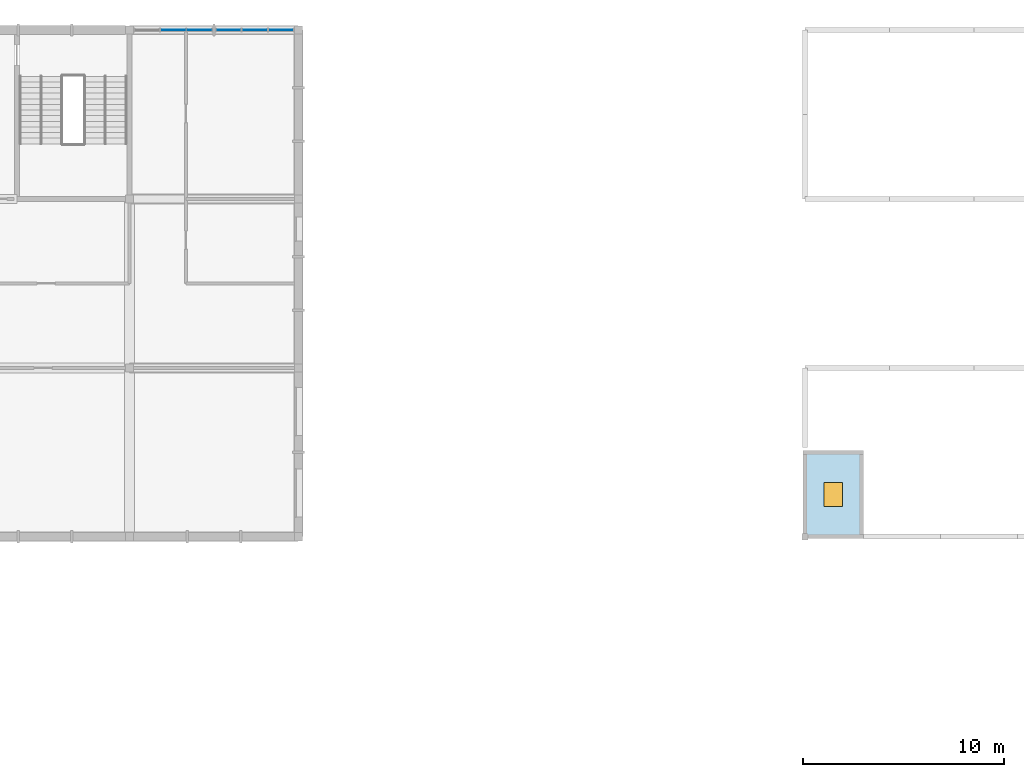
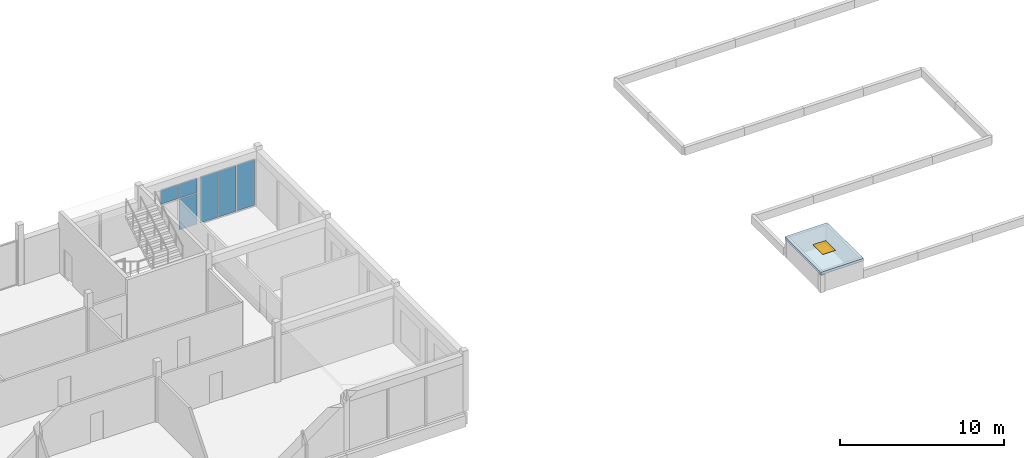
# One storey, part 13 of 22: 6 plates, 1 slab, 1 window, 1 opening, 2 elements without a shape of their own.
"""IFC4 building model written with IfcOpenShell, lengths in metres."""

from ifc_helpers import new_model, si_unit, direction, frame, origin, origin_2d, place, context, subcontext, project, spatial, polyline, rectangle, outline, extrude, material, layer, layer_set, type_object, element, fill, aggregate, save


model = new_model("IFC4")

# Units and contexts
model_context = context("Model", 3, precision=1e-05, world=origin(), true_north=direction((0.0, 1.0)))
body_context = subcontext(model_context, "Body", "Model", "MODEL_VIEW")
ifc_project = project(units=[si_unit("LENGTHUNIT", "METRE"), si_unit("AREAUNIT", "SQUARE_METRE"), si_unit("VOLUMEUNIT", "CUBIC_METRE"), si_unit("PLANEANGLEUNIT", "RADIAN"), si_unit("MASSUNIT", "GRAM", prefix="KILO")], contexts=[model_context])

# Site, building, storey
site_placement = place(None, origin())
site = spatial("IfcSite", under=ifc_project, at=site_placement, CompositionType="ELEMENT")
building_placement = place(site_placement, origin())
building = spatial("IfcBuilding", under=site, at=building_placement, Name="Fescue Hill Polytechnic", CompositionType="ELEMENT")
storey_placement = place(building_placement, frame((0.0, 0.0, 27.0)))
storey = spatial("IfcBuildingStorey", under=building, at=storey_placement, Name="L06", CompositionType="ELEMENT", Elevation=27.0)

# Curtain wall, plates
ifc_material_1 = material(Name="Glass", Category="glass")
curtain_wall_type = type_object("IfcCurtainWallType", Name="Curtain wall structural glazing", PredefinedType="NOTDEFINED", material=ifc_material_1)
curtain_wall_1_placement = place(storey_placement, origin())
curtain_wall_1 = element("IfcCurtainWall", 1, at=curtain_wall_1_placement, inside=storey, type_object=curtain_wall_type, Name="CW-L06-V5-1", PredefinedType="NOTDEFINED")
ifc_layer_1 = layer(ifc_material_1, 0.028076171875)
ifc_layer_set_1 = layer_set([ifc_layer_1], Name="Glass")
plate_type = type_object("IfcPlateType", Name="Panel glazing 28", PredefinedType="CURTAIN_PANEL", material=ifc_layer_set_1)
plate_1_placement = place(storey_placement, frame((49.5283203125, 134.39990234375, 0.06005859375), z_axis=(0.0, 0.0, 1.0), x_axis=(-1.0, 0.0, 0.0)))
plate_1 = element("IfcPlate", 2, at=plate_1_placement, type_object=plate_type, Name="CW99 panel 1.1", PredefinedType="CURTAIN_PANEL", context=body_context, shape_type="SweptSolid", body=[
    extrude(rectangle(XDim=1.223388671875, YDim=0.028076171875, at=origin_2d()), origin(), (0.0, 0.0, 1.0), 3.4599609375),
])
plate_2_placement = place(storey_placement, frame((48.22998046875, 134.39990234375, 0.06005859375), z_axis=(0.0, 0.0, 1.0), x_axis=(-1.0, 0.0, 0.0)))
plate_2 = element("IfcPlate", 3, at=plate_2_placement, type_object=plate_type, Name="CW99 panel 2.1", PredefinedType="CURTAIN_PANEL", context=body_context, shape_type="SweptSolid", body=[
    extrude(rectangle(XDim=1.25341796875, YDim=0.028076171875, at=origin_2d()), origin(), (0.0, 0.0, 1.0), 3.4599609375),
])
plate_3_placement = place(storey_placement, frame((46.931640625, 134.39990234375, 0.06005859375), z_axis=(0.0, 0.0, 1.0), x_axis=(-1.0, 0.0, 0.0)))
plate_3 = element("IfcPlate", 4, at=plate_3_placement, type_object=plate_type, Name="CW99 panel 3.1", PredefinedType="CURTAIN_PANEL", context=body_context, shape_type="SweptSolid", body=[
    extrude(rectangle(XDim=1.223388671875, YDim=0.028076171875, at=origin_2d()), origin(), (0.0, 0.0, 1.0), 3.4599609375),
])
aggregate(curtain_wall_1, [plate_1, plate_2, plate_3])

curtain_wall_2_placement = place(storey_placement, origin())
curtain_wall_2 = element("IfcCurtainWall", 5, at=curtain_wall_2_placement, inside=storey, type_object=curtain_wall_type, Name="CW-L06-V5-X2", PredefinedType="NOTDEFINED")
plate_4_placement = place(storey_placement, frame((45.46826171875, 134.39990234375, 0.06005859375), z_axis=(0.0, 0.0, 1.0), x_axis=(-1.0, 0.0, 0.0)))
plate_4 = element("IfcPlate", 6, at=plate_4_placement, type_object=plate_type, Name="CW155 panel 1.1", PredefinedType="CURTAIN_PANEL", context=body_context, shape_type="SweptSolid", body=[
    extrude(rectangle(XDim=1.223388671875, YDim=0.028076171875, at=origin_2d()), origin(), (0.0, 0.0, 1.0), 2.31005859375),
])
plate_5_placement = place(storey_placement, frame((45.46826171875, 134.39990234375, 2.43017578125), z_axis=(0.0, 0.0, 1.0), x_axis=(-1.0, 0.0, 0.0)))
plate_5 = element("IfcPlate", 7, at=plate_5_placement, type_object=plate_type, Name="CW155 panel 1.2", PredefinedType="CURTAIN_PANEL", context=body_context, shape_type="SweptSolid", body=[
    extrude(rectangle(XDim=1.223388671875, YDim=0.028076171875, at=origin_2d()), origin(), (0.0, 0.0, 1.0), 1.090087890625),
])
plate_6_placement = place(storey_placement, frame((44.169921875, 134.39990234375, 2.43017578125), z_axis=(0.0, 0.0, 1.0), x_axis=(-1.0, 0.0, 0.0)))
plate_6 = element("IfcPlate", 8, at=plate_6_placement, type_object=plate_type, Name="CW155 panel 2.2", PredefinedType="CURTAIN_PANEL", context=body_context, shape_type="SweptSolid", body=[
    extrude(rectangle(XDim=1.25341796875, YDim=0.028076171875, at=origin_2d()), origin(), (0.0, 0.0, 1.0), 1.090087890625),
])
aggregate(curtain_wall_2, [plate_4, plate_5, plate_6])

# Slab, opening, window
ifc_material_2 = material(Name="Concrete 35 MPa", Category="concrete")
ifc_layer_2 = layer(ifc_material_2, 0.199951171875)
ifc_layer_set_2 = layer_set([ifc_layer_2], Name="Concrete 35 MPa")
slab_type = type_object("IfcSlabType", Name="Roof slab 200", PredefinedType="ROOF", material=ifc_layer_set_2)
slab_placement = place(storey_placement, frame((0.0, 0.0, 1.300048828125)))
slab = element("IfcSlab", 9, at=slab_placement, inside=storey, type_object=slab_type, Name="LD-LF-V4b-1", PredefinedType="ROOF", context=body_context, shape_type="SweptSolid", body=[
    extrude(outline(polyline([(78.5, 109.10009765625), (75.5, 109.10009765625), (75.5, 113.5), (78.5, 113.5), (78.5, 109.10009765625)])), origin(), (0.0, 0.0, 1.0), 0.199951171875),
])
opening_placement = place(slab_placement, frame((77.0, 111.300048828125, 0.0)))
opening = element("IfcOpeningElement", 10, at=opening_placement, cuts=slab, Name="Opening WH4", PredefinedType="OPENING", context=body_context, shape_type="SweptSolid", body=[
    extrude(rectangle(XDim=0.89990234375, YDim=1.199951171875, at=origin_2d()), frame((0.0, 0.0, -0.010009765625)), (0.0, 0.0, 1.0), 0.219970703125),
])
ifc_material_3 = material(Name="Powder-coated aluminium and glass", Category="aluminium")
window_type = type_object("IfcWindowType", Name="Hoistway vent hatch 900x1200", PartitioningType="SINGLE_PANEL", PredefinedType="SKYLIGHT", material=ifc_material_3)
window_placement = place(opening_placement, frame((0.0, 0.0, 0.14990234375)))
window = element("IfcWindow", 11, at=window_placement, inside=storey, type_object=window_type, Name="RLT-L06-LD-LF-V4b-1", OverallHeight=1.199951171875, OverallWidth=0.89990234375, PartitioningType="SINGLE_PANEL", PredefinedType="SKYLIGHT", context=body_context, shape_type="SweptSolid", body=[
    extrude(rectangle(XDim=0.89990234375, YDim=1.199951171875, at=origin_2d()), origin(), (0.0, 0.0, 1.0), 0.050048828125),
])
fill(opening, window)

save(model, "model.ifc")
